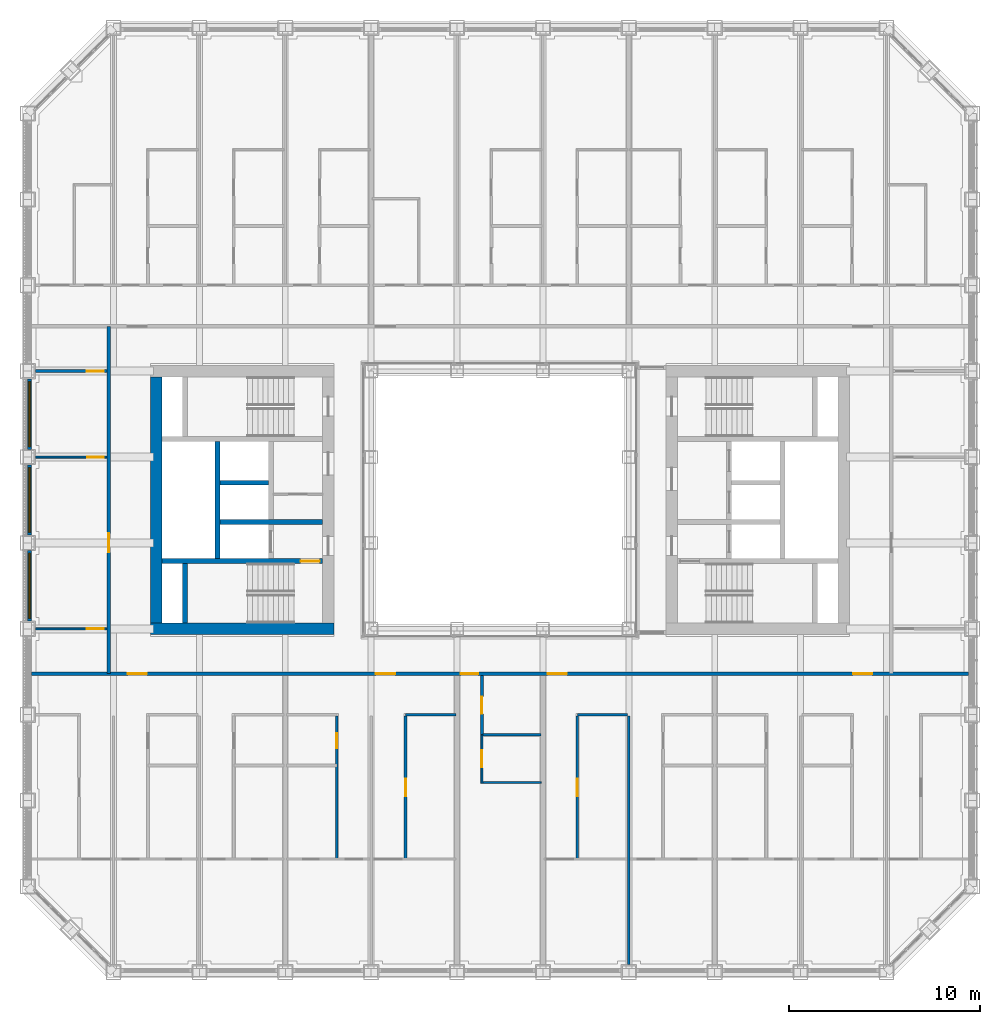
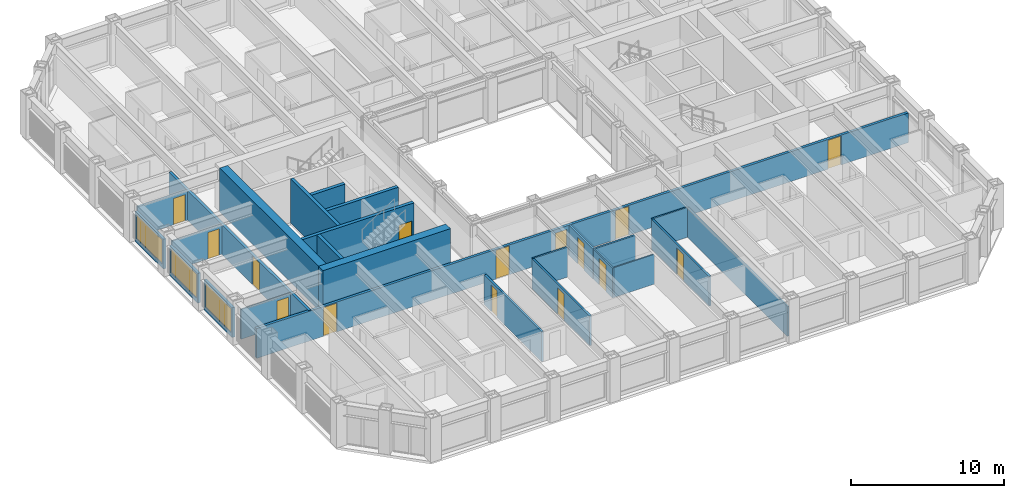
# One storey, part 10 of 21: 25 walls, 15 doors, 3 windows, 18 openings.
"""IFC4 building model written with IfcOpenShell, lengths in metres."""

from ifc_helpers import new_model, si_unit, direction, frame, frame_2d, origin, place, context, subcontext, project, spatial, rectangle, extrude, material, layer, layer_set, type_object, element, fill, save


model = new_model("IFC4")

# Units and contexts
model_context = context("Model", 3, precision=1e-05, world=origin(), true_north=direction((0.0, 1.0)))
body_context = subcontext(model_context, "Body", "Model", "MODEL_VIEW")
ifc_project = project(units=[si_unit("LENGTHUNIT", "METRE"), si_unit("AREAUNIT", "SQUARE_METRE"), si_unit("VOLUMEUNIT", "CUBIC_METRE"), si_unit("PLANEANGLEUNIT", "RADIAN"), si_unit("MASSUNIT", "GRAM", prefix="KILO")], contexts=[model_context])

# Site, building, storey
site_placement = place(None, origin())
site = spatial("IfcSite", under=ifc_project, at=site_placement, CompositionType="ELEMENT")
building_placement = place(site_placement, origin())
building = spatial("IfcBuilding", under=site, at=building_placement, Name="Msasa Ring Tower", CompositionType="ELEMENT")
storey_placement = place(building_placement, frame((0.0, 0.0, 75.5)))
storey = spatial("IfcBuildingStorey", under=building, at=storey_placement, Name="L19", CompositionType="ELEMENT", Elevation=75.5)

# Walls
ifc_material_1 = material(Name="Concrete C60/75", Category="concrete")
ifc_layer_1 = layer(ifc_material_1, 0.60009765625)
ifc_layer_set_1 = layer_set([ifc_layer_1], Name="CW1 CORE WALL 600")
wall_type_1 = type_object("IfcWallType", Name="CW1 CORE WALL 600", PredefinedType="SHEAR", material=ifc_layer_set_1)
wall_1_placement = place(storey_placement, frame((-8.699951171875, -6.75, 0.0), z_axis=(0.0, 0.0, 1.0), x_axis=(-1.0, 0.0, 0.0)))
element("IfcWall", 1, at=wall_1_placement, inside=storey, type_object=wall_type_1, Name="W core wall S L19", PredefinedType="SHEAR", context=body_context, shape_type="SweptSolid", body=[
    extrude(rectangle(XDim=9.60009765625, YDim=0.60009765625, at=frame_2d((4.800048828125, 0.0))), origin(), (0.0, 0.0, 1.0), 3.5),
])
wall_2_placement = place(storey_placement, frame((-18.0, -6.449951171875, 0.0), z_axis=(0.0, 0.0, 1.0), x_axis=(0.0, 1.0, 0.0)))
element("IfcWall", 2, at=wall_2_placement, inside=storey, type_object=wall_type_1, Name="W core wall E L19", PredefinedType="SHEAR", context=body_context, shape_type="SweptSolid", body=[
    extrude(rectangle(XDim=12.89990234375, YDim=0.60009765625, at=frame_2d((6.449951171875, 0.0))), origin(), (0.0, 0.0, 1.0), 3.5),
])

# Wall, opening, door
ifc_material_2 = material(Name="Concrete C60/75", Category="concrete")
ifc_layer_2 = layer(ifc_material_2, 0.25)
ifc_layer_set_2 = layer_set([ifc_layer_2], Name="CW4 CORE INNER WALL 250")
wall_type_2 = type_object("IfcWallType", Name="CW4 CORE INNER WALL 250", PredefinedType="SHEAR", material=ifc_layer_set_2)
wall_3_placement = place(storey_placement, frame((-9.300048828125, -3.199951171875, 0.0), z_axis=(0.0, 0.0, 1.0), x_axis=(-1.0, 0.0, 0.0)))
wall_3 = element("IfcWall", 3, at=wall_3_placement, inside=storey, type_object=wall_type_2, Name="W core wall STAIRA L19", PredefinedType="SHEAR", context=body_context, shape_type="SweptSolid", body=[
    extrude(rectangle(XDim=8.39990234375, YDim=0.25, at=frame_2d((4.199951171875, 0.0))), origin(), (0.0, 0.0, 1.0), 3.5),
])
opening_1_placement = place(wall_3_placement, frame((0.14990234375, 0.0, 0.0)))
opening_1 = element("IfcOpeningElement", 4, at=opening_1_placement, cuts=wall_3, Name="Opening RE-051", PredefinedType="OPENING", context=body_context, shape_type="SweptSolid", body=[
    extrude(rectangle(XDim=1.0, YDim=2.10009765625, at=frame_2d((0.5, 1.050048828125))), frame((0.0, 0.135009765625, 0.0), z_axis=(0.0, -1.0, 0.0), x_axis=(1.0, 0.0, 0.0)), (0.0, 0.0, 1.0), 0.27001953125),
])
ifc_material_3 = material(Name="Timber door leaf in a steel frame", Category="steel")
door_type_1 = type_object("IfcDoorType", Name="D6 STAIR DOOR 1000x2100", OperationType="SINGLE_SWING_LEFT", PredefinedType="DOOR", material=ifc_material_3)
door_1_placement = place(opening_1_placement, origin())
door_1 = element("IfcDoor", 5, at=door_1_placement, inside=storey, type_object=door_type_1, Name="Door L19-WSTA", OperationType="SINGLE_SWING_LEFT", OverallHeight=2.10009765625, OverallWidth=1.0, PredefinedType="DOOR", context=body_context, shape_type="SweptSolid", body=[
    extrude(rectangle(XDim=1.0, YDim=2.10009765625, at=frame_2d((0.5, 1.050048828125))), frame((0.0, 0.02490234375, 0.0), z_axis=(0.0, -1.0, 0.0), x_axis=(1.0, 0.0, 0.0)), (0.0, 0.0, 1.0), 0.050048828125),
])
fill(opening_1, door_1)

# Walls
wall_4_placement = place(storey_placement, frame((-16.5, -6.449951171875, 0.0), z_axis=(0.0, 0.0, 1.0), x_axis=(0.0, 1.0, 0.0)))
element("IfcWall", 6, at=wall_4_placement, inside=storey, type_object=wall_type_2, Name="W core wall RISERA L19", PredefinedType="SHEAR", context=body_context, shape_type="SweptSolid", body=[
    extrude(rectangle(XDim=3.125, YDim=0.25, at=frame_2d((1.5625, 0.0))), origin(), (0.0, 0.0, 1.0), 3.5),
])
wall_5_placement = place(storey_placement, frame((-9.300048828125, -1.14990234375, 0.0), z_axis=(0.0, 0.0, 1.0), x_axis=(-1.0, 0.0, 0.0)))
element("IfcWall", 7, at=wall_5_placement, inside=storey, type_object=wall_type_2, Name="W core wall FFL L19", PredefinedType="SHEAR", context=body_context, shape_type="SweptSolid", body=[
    extrude(rectangle(XDim=5.375, YDim=0.25, at=frame_2d((2.6875, 0.0))), origin(), (0.0, 0.0, 1.0), 3.5),
])
wall_6_placement = place(storey_placement, frame((-14.800048828125, -3.074951171875, 0.0), z_axis=(0.0, 0.0, 1.0), x_axis=(0.0, 1.0, 0.0)))
element("IfcWall", 8, at=wall_6_placement, inside=storey, type_object=wall_type_2, Name="W core wall SHAFT L19", PredefinedType="SHEAR", context=body_context, shape_type="SweptSolid", body=[
    extrude(rectangle(XDim=6.14990234375, YDim=0.25, at=frame_2d((3.074951171875, 0.0))), origin(), (0.0, 0.0, 1.0), 3.5),
])
wall_7_placement = place(storey_placement, frame((-12.125, 0.89990234375, 0.0), z_axis=(0.0, 0.0, 1.0), x_axis=(-1.0, 0.0, 0.0)))
element("IfcWall", 9, at=wall_7_placement, inside=storey, type_object=wall_type_2, Name="W core wall LIFT1 L19", PredefinedType="SHEAR", context=body_context, shape_type="SweptSolid", body=[
    extrude(rectangle(XDim=2.550048828125, YDim=0.25, at=frame_2d((1.27490234375, 0.0))), origin(), (0.0, 0.0, 1.0), 3.5),
])

# Wall, opening, window
ifc_material_4 = material(Name="Terracotta rainscreen on blockwork", Category="masonry")
ifc_layer_3 = layer(ifc_material_4, 0.199951171875)
ifc_layer_set_3 = layer_set([ifc_layer_3], Name="FW1 TERRACOTTA-LINED INFILL BAY WALL 200")
wall_type_3 = type_object("IfcWallType", Name="FW1 TERRACOTTA-LINED INFILL BAY WALL 200", PredefinedType="SOLIDWALL", material=ifc_layer_set_3)
wall_8_placement = place(storey_placement, frame((-24.64990234375, -6.344970703125, 0.0), z_axis=(0.0, 0.0, 1.0), x_axis=(0.0, 1.0, 0.0)))
wall_8 = element("IfcWall", 10, at=wall_8_placement, inside=storey, type_object=wall_type_3, Name="Infill bay wall W L19 36", PredefinedType="SOLIDWALL", context=body_context, shape_type="SweptSolid", body=[
    extrude(rectangle(XDim=3.68994140625, YDim=0.199951171875, at=frame_2d((1.844970703125, 0.0))), origin(), (0.0, 0.0, 1.0), 2.37890625),
])
opening_2_placement = place(wall_8_placement, frame((0.14501953125, 0.0, 0.300048828125)))
opening_2 = element("IfcOpeningElement", 11, at=opening_2_placement, cuts=wall_8, Name="Opening WN1", PredefinedType="OPENING", context=body_context, shape_type="SweptSolid", body=[
    extrude(rectangle(XDim=3.39990234375, YDim=1.928955078125, at=frame_2d((1.699951171875, 0.96435546875))), frame((0.0, 0.10986328125, 0.0), z_axis=(0.0, -1.0, 0.0), x_axis=(1.0, 0.0, 0.0)), (0.0, 0.0, 1.0), 0.219970703125),
])
ifc_material_5 = material(Name="Aluminium frame with clear glass", Category="aluminium")
window_type = type_object("IfcWindowType", Name="WN1 RESIDENCE WINDOW 3400x1929", PartitioningType="SINGLE_PANEL", PredefinedType="WINDOW", material=ifc_material_5)
window_1_placement = place(opening_2_placement, origin())
window_1 = element("IfcWindow", 12, at=window_1_placement, inside=storey, type_object=window_type, Name="Window W L19 36", OverallHeight=1.928955078125, OverallWidth=3.39990234375, PartitioningType="SINGLE_PANEL", PredefinedType="WINDOW", context=body_context, shape_type="SweptSolid", body=[
    extrude(rectangle(XDim=3.39990234375, YDim=1.928955078125, at=frame_2d((1.699951171875, 0.96435546875))), frame((0.0, 0.030029296875, 0.0), z_axis=(0.0, -1.0, 0.0), x_axis=(1.0, 0.0, 0.0)), (0.0, 0.0, 1.0), 0.06005859375),
])
fill(opening_2, window_1)

wall_9_placement = place(storey_placement, frame((-24.64990234375, -1.844970703125, 0.0), z_axis=(0.0, 0.0, 1.0), x_axis=(0.0, 1.0, 0.0)))
wall_9 = element("IfcWall", 13, at=wall_9_placement, inside=storey, type_object=wall_type_3, Name="Infill bay wall W L19 37", PredefinedType="SOLIDWALL", context=body_context, shape_type="SweptSolid", body=[
    extrude(rectangle(XDim=3.68994140625, YDim=0.199951171875, at=frame_2d((1.844970703125, 0.0))), origin(), (0.0, 0.0, 1.0), 2.37890625),
])
opening_3_placement = place(wall_9_placement, frame((0.14501953125, 0.0, 0.300048828125)))
opening_3 = element("IfcOpeningElement", 14, at=opening_3_placement, cuts=wall_9, Name="Opening WN1", PredefinedType="OPENING", context=body_context, shape_type="SweptSolid", body=[
    extrude(rectangle(XDim=3.39990234375, YDim=1.928955078125, at=frame_2d((1.699951171875, 0.96435546875))), frame((0.0, 0.10986328125, 0.0), z_axis=(0.0, -1.0, 0.0), x_axis=(1.0, 0.0, 0.0)), (0.0, 0.0, 1.0), 0.219970703125),
])
window_2_placement = place(opening_3_placement, origin())
window_2 = element("IfcWindow", 15, at=window_2_placement, inside=storey, type_object=window_type, Name="Window W L19 37", OverallHeight=1.928955078125, OverallWidth=3.39990234375, PartitioningType="SINGLE_PANEL", PredefinedType="WINDOW", context=body_context, shape_type="SweptSolid", body=[
    extrude(rectangle(XDim=3.39990234375, YDim=1.928955078125, at=frame_2d((1.699951171875, 0.96435546875))), frame((0.0, 0.030029296875, 0.0), z_axis=(0.0, -1.0, 0.0), x_axis=(1.0, 0.0, 0.0)), (0.0, 0.0, 1.0), 0.06005859375),
])
fill(opening_3, window_2)

wall_10_placement = place(storey_placement, frame((-24.64990234375, 2.655029296875, 0.0), z_axis=(0.0, 0.0, 1.0), x_axis=(0.0, 1.0, 0.0)))
wall_10 = element("IfcWall", 16, at=wall_10_placement, inside=storey, type_object=wall_type_3, Name="Infill bay wall W L19 38", PredefinedType="SOLIDWALL", context=body_context, shape_type="SweptSolid", body=[
    extrude(rectangle(XDim=3.68994140625, YDim=0.199951171875, at=frame_2d((1.844970703125, 0.0))), origin(), (0.0, 0.0, 1.0), 2.37890625),
])
opening_4_placement = place(wall_10_placement, frame((0.14501953125, 0.0, 0.300048828125)))
opening_4 = element("IfcOpeningElement", 17, at=opening_4_placement, cuts=wall_10, Name="Opening WN1", PredefinedType="OPENING", context=body_context, shape_type="SweptSolid", body=[
    extrude(rectangle(XDim=3.39990234375, YDim=1.928955078125, at=frame_2d((1.699951171875, 0.96435546875))), frame((0.0, 0.10986328125, 0.0), z_axis=(0.0, -1.0, 0.0), x_axis=(1.0, 0.0, 0.0)), (0.0, 0.0, 1.0), 0.219970703125),
])
window_3_placement = place(opening_4_placement, origin())
window_3 = element("IfcWindow", 18, at=window_3_placement, inside=storey, type_object=window_type, Name="Window W L19 38", OverallHeight=1.928955078125, OverallWidth=3.39990234375, PartitioningType="SINGLE_PANEL", PredefinedType="WINDOW", context=body_context, shape_type="SweptSolid", body=[
    extrude(rectangle(XDim=3.39990234375, YDim=1.928955078125, at=frame_2d((1.699951171875, 0.96435546875))), frame((0.0, 0.030029296875, 0.0), z_axis=(0.0, -1.0, 0.0), x_axis=(1.0, 0.0, 0.0)), (0.0, 0.0, 1.0), 0.06005859375),
])
fill(opening_4, window_3)

# Wall, openings, doors
ifc_material_6 = material(Name="Concrete blockwork", Category="masonry")
ifc_layer_4 = layer(ifc_material_6, 0.199951171875)
ifc_layer_set_4 = layer_set([ifc_layer_4], Name="PT1 CORRIDOR WALL 200")
wall_type_4 = type_object("IfcWallType", Name="PT1 CORRIDOR WALL 200", PredefinedType="PARTITIONING", material=ifc_layer_set_4)
wall_11_placement = place(storey_placement, frame((-24.550048828125, -9.10009765625, 0.0), z_axis=(0.0, 0.0, 1.0), x_axis=(1.0, 0.0, 0.0)))
wall_11 = element("IfcWall", 19, at=wall_11_placement, inside=storey, type_object=wall_type_4, Name="Corridor wall L19-CORRS0", PredefinedType="PARTITIONING", context=body_context, shape_type="SweptSolid", body=[
    extrude(rectangle(XDim=49.10009765625, YDim=0.199951171875, at=frame_2d((24.550048828125, 0.0))), origin(), (0.0, 0.0, 1.0), 2.373291015625),
])
opening_5_placement = place(wall_11_placement, frame((5.050048828125, 0.0, 0.0)))
opening_5 = element("IfcOpeningElement", 20, at=opening_5_placement, cuts=wall_11, Name="Opening RE-056", PredefinedType="OPENING", context=body_context, shape_type="SweptSolid", body=[
    extrude(rectangle(XDim=1.0, YDim=2.300048828125, at=frame_2d((0.5, 1.14990234375))), frame((0.0, 0.10986328125, 0.0), z_axis=(0.0, -1.0, 0.0), x_axis=(1.0, 0.0, 0.0)), (0.0, 0.0, 1.0), 0.219970703125),
])
opening_6_placement = place(wall_11_placement, frame((18.050048828125, 0.0, 0.0)))
opening_6 = element("IfcOpeningElement", 21, at=opening_6_placement, cuts=wall_11, Name="Opening RE-057", PredefinedType="OPENING", context=body_context, shape_type="SweptSolid", body=[
    extrude(rectangle(XDim=1.0, YDim=2.300048828125, at=frame_2d((0.5, 1.14990234375))), frame((0.0, 0.10986328125, 0.0), z_axis=(0.0, -1.0, 0.0), x_axis=(1.0, 0.0, 0.0)), (0.0, 0.0, 1.0), 0.219970703125),
])
opening_7_placement = place(wall_11_placement, frame((22.5, 0.0, 0.0)))
opening_7 = element("IfcOpeningElement", 22, at=opening_7_placement, cuts=wall_11, Name="Opening RE-058", PredefinedType="OPENING", context=body_context, shape_type="SweptSolid", body=[
    extrude(rectangle(XDim=0.89990234375, YDim=2.10009765625, at=frame_2d((0.449951171875, 1.050048828125))), frame((0.0, 0.10986328125, 0.0), z_axis=(0.0, -1.0, 0.0), x_axis=(1.0, 0.0, 0.0)), (0.0, 0.0, 1.0), 0.219970703125),
])
opening_8_placement = place(wall_11_placement, frame((27.050048828125, 0.0, 0.0)))
opening_8 = element("IfcOpeningElement", 23, at=opening_8_placement, cuts=wall_11, Name="Opening RE-059", PredefinedType="OPENING", context=body_context, shape_type="SweptSolid", body=[
    extrude(rectangle(XDim=1.0, YDim=2.300048828125, at=frame_2d((0.5, 1.14990234375))), frame((0.0, 0.10986328125, 0.0), z_axis=(0.0, -1.0, 0.0), x_axis=(1.0, 0.0, 0.0)), (0.0, 0.0, 1.0), 0.219970703125),
])
opening_9_placement = place(wall_11_placement, frame((43.050048828125, 0.0, 0.0)))
opening_9 = element("IfcOpeningElement", 24, at=opening_9_placement, cuts=wall_11, Name="Opening RE-060", PredefinedType="OPENING", context=body_context, shape_type="SweptSolid", body=[
    extrude(rectangle(XDim=1.0, YDim=2.300048828125, at=frame_2d((0.5, 1.14990234375))), frame((0.0, 0.10986328125, 0.0), z_axis=(0.0, -1.0, 0.0), x_axis=(1.0, 0.0, 0.0)), (0.0, 0.0, 1.0), 0.219970703125),
])
ifc_material_7 = material(Name="Timber door leaf in a steel frame", Category="steel")
door_type_2 = type_object("IfcDoorType", Name="D16 UPPER RESIDENCE ENTRANCE DOOR 1000x2300", OperationType="SINGLE_SWING_LEFT", PredefinedType="DOOR", material=ifc_material_7)
door_2_placement = place(opening_5_placement, origin())
door_2 = element("IfcDoor", 25, at=door_2_placement, inside=storey, type_object=door_type_2, Name="Door L19-US00", OperationType="SINGLE_SWING_LEFT", OverallHeight=2.300048828125, OverallWidth=1.0, PredefinedType="DOOR", context=body_context, shape_type="SweptSolid", body=[
    extrude(rectangle(XDim=1.0, YDim=2.300048828125, at=frame_2d((0.5, 1.14990234375))), frame((0.0, 0.02490234375, 0.0), z_axis=(0.0, -1.0, 0.0), x_axis=(1.0, 0.0, 0.0)), (0.0, 0.0, 1.0), 0.050048828125),
])
fill(opening_5, door_2)
door_3_placement = place(opening_6_placement, origin())
door_3 = element("IfcDoor", 26, at=door_3_placement, inside=storey, type_object=door_type_2, Name="Door L19-US01", OperationType="SINGLE_SWING_LEFT", OverallHeight=2.300048828125, OverallWidth=1.0, PredefinedType="DOOR", context=body_context, shape_type="SweptSolid", body=[
    extrude(rectangle(XDim=1.0, YDim=2.300048828125, at=frame_2d((0.5, 1.14990234375))), frame((0.0, 0.02490234375, 0.0), z_axis=(0.0, -1.0, 0.0), x_axis=(1.0, 0.0, 0.0)), (0.0, 0.0, 1.0), 0.050048828125),
])
fill(opening_6, door_3)
door_4_placement = place(opening_8_placement, origin())
door_4 = element("IfcDoor", 27, at=door_4_placement, inside=storey, type_object=door_type_2, Name="Door L19-US03", OperationType="SINGLE_SWING_RIGHT", OverallHeight=2.300048828125, OverallWidth=1.0, PredefinedType="DOOR", context=body_context, shape_type="SweptSolid", body=[
    extrude(rectangle(XDim=1.0, YDim=2.300048828125, at=frame_2d((0.5, 1.14990234375))), frame((0.0, 0.02490234375, 0.0), z_axis=(0.0, -1.0, 0.0), x_axis=(1.0, 0.0, 0.0)), (0.0, 0.0, 1.0), 0.050048828125),
])
fill(opening_8, door_4)
door_5_placement = place(opening_9_placement, origin())
door_5 = element("IfcDoor", 28, at=door_5_placement, inside=storey, type_object=door_type_2, Name="Door L19-US04", OperationType="SINGLE_SWING_RIGHT", OverallHeight=2.300048828125, OverallWidth=1.0, PredefinedType="DOOR", context=body_context, shape_type="SweptSolid", body=[
    extrude(rectangle(XDim=1.0, YDim=2.300048828125, at=frame_2d((0.5, 1.14990234375))), frame((0.0, 0.02490234375, 0.0), z_axis=(0.0, -1.0, 0.0), x_axis=(1.0, 0.0, 0.0)), (0.0, 0.0, 1.0), 0.050048828125),
])
fill(opening_9, door_5)
ifc_material_8 = material(Name="Timber door leaf in a steel frame", Category="steel")
door_type_3 = type_object("IfcDoorType", Name="D2 ENTRANCE DOOR 900x2100", OperationType="SINGLE_SWING_LEFT", PredefinedType="DOOR", material=ifc_material_8)
door_6_placement = place(opening_7_placement, origin())
door_6 = element("IfcDoor", 29, at=door_6_placement, inside=storey, type_object=door_type_3, Name="Door L19-US02", OperationType="SINGLE_SWING_LEFT", OverallHeight=2.10009765625, OverallWidth=0.89990234375, PredefinedType="DOOR", context=body_context, shape_type="SweptSolid", body=[
    extrude(rectangle(XDim=0.89990234375, YDim=2.10009765625, at=frame_2d((0.449951171875, 1.050048828125))), frame((0.0, 0.02490234375, 0.0), z_axis=(0.0, -1.0, 0.0), x_axis=(1.0, 0.0, 0.0)), (0.0, 0.0, 1.0), 0.050048828125),
])
fill(opening_7, door_6)

# Wall, opening, door
wall_12_placement = place(storey_placement, frame((-20.5, -9.10009765625, 0.0), z_axis=(0.0, 0.0, 1.0), x_axis=(0.0, 1.0, 0.0)))
wall_12 = element("IfcWall", 30, at=wall_12_placement, inside=storey, type_object=wall_type_4, Name="Corridor wall L19-STRW", PredefinedType="PARTITIONING", context=body_context, shape_type="SweptSolid", body=[
    extrude(rectangle(XDim=18.2001953125, YDim=0.199951171875, at=frame_2d((9.10009765625, 0.0))), origin(), (0.0, 0.0, 1.0), 2.373291015625),
])
opening_10_placement = place(wall_12_placement, frame((6.35009765625, 0.0, 0.0)))
opening_10 = element("IfcOpeningElement", 31, at=opening_10_placement, cuts=wall_12, Name="Opening RE-047", PredefinedType="OPENING", context=body_context, shape_type="SweptSolid", body=[
    extrude(rectangle(XDim=1.0, YDim=2.300048828125, at=frame_2d((0.5, 1.14990234375))), frame((0.0, 0.10986328125, 0.0), z_axis=(0.0, -1.0, 0.0), x_axis=(1.0, 0.0, 0.0)), (0.0, 0.0, 1.0), 0.219970703125),
])
door_7_placement = place(opening_10_placement, origin())
door_7 = element("IfcDoor", 32, at=door_7_placement, inside=storey, type_object=door_type_2, Name="Door L19-STW", OperationType="SINGLE_SWING_LEFT", OverallHeight=2.300048828125, OverallWidth=1.0, PredefinedType="DOOR", context=body_context, shape_type="SweptSolid", body=[
    extrude(rectangle(XDim=1.0, YDim=2.300048828125, at=frame_2d((0.5, 1.14990234375))), frame((0.0, 0.02490234375, 0.0), z_axis=(0.0, -1.0, 0.0), x_axis=(1.0, 0.0, 0.0)), (0.0, 0.0, 1.0), 0.050048828125),
])
fill(opening_10, door_7)

# Wall
ifc_material_9 = material(Name="Gypsum board on steel studs", Category="steel")
ifc_layer_5 = layer(ifc_material_9, 0.10009765625)
ifc_layer_set_5 = layer_set([ifc_layer_5], Name="PT2 STUD PARTITION 100")
wall_type_5 = type_object("IfcWallType", Name="PT2 STUD PARTITION 100", PredefinedType="PARTITIONING", material=ifc_layer_set_5)
wall_13_placement = place(storey_placement, frame((-0.89990234375, -14.800048828125, 0.0), z_axis=(0.0, 0.0, 1.0), x_axis=(1.0, 0.0, 0.0)))
element("IfcWall", 33, at=wall_13_placement, inside=storey, type_object=wall_type_5, Name="Partition L19-US02KY", PredefinedType="PARTITIONING", context=body_context, shape_type="SweptSolid", body=[
    extrude(rectangle(XDim=3.0498046875, YDim=0.10009765625, at=frame_2d((1.52490234375, 0.0))), origin(), (0.0, 0.0, 1.0), 2.373291015625),
])

# Wall, opening, door
wall_14_placement = place(storey_placement, frame((-0.949951171875, -14.85009765625, 0.0), z_axis=(0.0, 0.0, 1.0), x_axis=(0.0, 1.0, 0.0)))
wall_14 = element("IfcWall", 34, at=wall_14_placement, inside=storey, type_object=wall_type_5, Name="Partition L19-US02KX", PredefinedType="PARTITIONING", context=body_context, shape_type="SweptSolid", body=[
    extrude(rectangle(XDim=2.550048828125, YDim=0.10009765625, at=frame_2d((1.27490234375, 0.0))), origin(), (0.0, 0.0, 1.0), 2.373291015625),
])
opening_11_placement = place(wall_14_placement, frame((0.840087890625, 0.0, 0.0)))
opening_11 = element("IfcOpeningElement", 35, at=opening_11_placement, cuts=wall_14, Name="Opening RE-068", PredefinedType="OPENING", context=body_context, shape_type="SweptSolid", body=[
    extrude(rectangle(XDim=0.89990234375, YDim=2.10009765625, at=frame_2d((0.449951171875, 1.050048828125))), frame((0.0, 0.06005859375, 0.0), z_axis=(0.0, -1.0, 0.0), x_axis=(1.0, 0.0, 0.0)), (0.0, 0.0, 1.0), 0.1201171875),
])
ifc_material_10 = material(Name="Timber door leaf in a steel frame", Category="steel")
door_type_4 = type_object("IfcDoorType", Name="D22 INTERNAL HALL DOOR 900x2100", OperationType="SINGLE_SWING_LEFT", PredefinedType="DOOR", material=ifc_material_10)
door_8_placement = place(opening_11_placement, origin())
door_8 = element("IfcDoor", 36, at=door_8_placement, inside=storey, type_object=door_type_4, Name="Door L19-US02K", OperationType="SINGLE_SWING_LEFT", OverallHeight=2.10009765625, OverallWidth=0.89990234375, PredefinedType="DOOR", context=body_context, shape_type="SweptSolid", body=[
    extrude(rectangle(XDim=0.89990234375, YDim=2.10009765625, at=frame_2d((0.449951171875, 1.050048828125))), frame((0.0, 0.02490234375, 0.0), z_axis=(0.0, -1.0, 0.0), x_axis=(1.0, 0.0, 0.0)), (0.0, 0.0, 1.0), 0.050048828125),
])
fill(opening_11, door_8)

wall_15_placement = place(storey_placement, frame((-24.35009765625, -6.75, 0.0), z_axis=(0.0, 0.0, 1.0), x_axis=(1.0, 0.0, 0.0)))
wall_15 = element("IfcWall", 37, at=wall_15_placement, inside=storey, type_object=wall_type_5, Name="Partition L19-STWKY", PredefinedType="PARTITIONING", context=body_context, shape_type="SweptSolid", body=[
    extrude(rectangle(XDim=3.75, YDim=0.10009765625, at=frame_2d((1.875, 0.0))), origin(), (0.0, 0.0, 1.0), 2.373291015625),
])
opening_12_placement = place(wall_15_placement, frame((2.699951171875, 0.0, 0.0)))
opening_12 = element("IfcOpeningElement", 38, at=opening_12_placement, cuts=wall_15, Name="Opening RE-053", PredefinedType="OPENING", context=body_context, shape_type="SweptSolid", body=[
    extrude(rectangle(XDim=0.89990234375, YDim=2.10009765625, at=frame_2d((0.449951171875, 1.050048828125))), frame((0.0, 0.06005859375, 0.0), z_axis=(0.0, -1.0, 0.0), x_axis=(1.0, 0.0, 0.0)), (0.0, 0.0, 1.0), 0.1201171875),
])
door_9_placement = place(opening_12_placement, origin())
door_9 = element("IfcDoor", 39, at=door_9_placement, inside=storey, type_object=door_type_4, Name="Door L19-STWK", OperationType="SINGLE_SWING_RIGHT", OverallHeight=2.10009765625, OverallWidth=0.89990234375, PredefinedType="DOOR", context=body_context, shape_type="SweptSolid", body=[
    extrude(rectangle(XDim=0.89990234375, YDim=2.10009765625, at=frame_2d((0.449951171875, 1.050048828125))), frame((0.0, 0.02490234375, 0.0), z_axis=(0.0, -1.0, 0.0), x_axis=(1.0, 0.0, 0.0)), (0.0, 0.0, 1.0), 0.050048828125),
])
fill(opening_12, door_9)

wall_16_placement = place(storey_placement, frame((-24.35009765625, 2.25, 0.0), z_axis=(0.0, 0.0, 1.0), x_axis=(1.0, 0.0, 0.0)))
wall_16 = element("IfcWall", 40, at=wall_16_placement, inside=storey, type_object=wall_type_5, Name="Partition L19-STWRY", PredefinedType="PARTITIONING", context=body_context, shape_type="SweptSolid", body=[
    extrude(rectangle(XDim=3.75, YDim=0.10009765625, at=frame_2d((1.875, 0.0))), origin(), (0.0, 0.0, 1.0), 2.373291015625),
])
opening_13_placement = place(wall_16_placement, frame((2.72509765625, 0.0, 0.0)))
opening_13 = element("IfcOpeningElement", 41, at=opening_13_placement, cuts=wall_16, Name="Opening RE-042", PredefinedType="OPENING", context=body_context, shape_type="SweptSolid", body=[
    extrude(rectangle(XDim=0.85009765625, YDim=2.10009765625, at=frame_2d((0.425048828125, 1.050048828125))), frame((0.0, 0.06005859375, 0.0), z_axis=(0.0, -1.0, 0.0), x_axis=(1.0, 0.0, 0.0)), (0.0, 0.0, 1.0), 0.1201171875),
])
ifc_material_11 = material(Name="Timber door leaf in a steel frame", Category="steel")
door_type_5 = type_object("IfcDoorType", Name="D14 BEDROOM DOOR 850x2100", OperationType="SINGLE_SWING_LEFT", PredefinedType="DOOR", material=ifc_material_11)
door_10_placement = place(opening_13_placement, origin())
door_10 = element("IfcDoor", 42, at=door_10_placement, inside=storey, type_object=door_type_5, Name="Door L19-STWR", OperationType="SINGLE_SWING_RIGHT", OverallHeight=2.10009765625, OverallWidth=0.85009765625, PredefinedType="DOOR", context=body_context, shape_type="SweptSolid", body=[
    extrude(rectangle(XDim=0.85009765625, YDim=2.10009765625, at=frame_2d((0.425048828125, 1.050048828125))), frame((0.0, 0.02490234375, 0.0), z_axis=(0.0, -1.0, 0.0), x_axis=(1.0, 0.0, 0.0)), (0.0, 0.0, 1.0), 0.050048828125),
])
fill(opening_13, door_10)

ifc_material_12 = material(Name="Moisture-resistant board on steel studs with a concealed cistern and pipe void, tiled", Category="steel")
ifc_layer_6 = layer(ifc_material_12, 0.14990234375)
ifc_layer_set_6 = layer_set([ifc_layer_6], Name="PT4 BATHROOM WET WALL 150")
wall_type_6 = type_object("IfcWallType", Name="PT4 BATHROOM WET WALL 150", PredefinedType="PARTITIONING", material=ifc_layer_set_6)
wall_17_placement = place(storey_placement, frame((-4.949951171875, -18.8125, 0.0), z_axis=(0.0, 0.0, 1.0), x_axis=(0.0, 1.0, 0.0)))
wall_17 = element("IfcWall", 43, at=wall_17_placement, inside=storey, type_object=wall_type_6, Name="Partition L19-US01SX0", PredefinedType="PARTITIONING", context=body_context, shape_type="SweptSolid", body=[
    extrude(rectangle(XDim=7.5, YDim=0.14990234375, at=frame_2d((3.75, 0.0))), origin(), (0.0, 0.0, 1.0), 2.373291015625),
])
opening_14_placement = place(wall_17_placement, frame((3.300048828125, 0.0, 0.0)))
opening_14 = element("IfcOpeningElement", 44, at=opening_14_placement, cuts=wall_17, Name="Opening RE-070", PredefinedType="OPENING", context=body_context, shape_type="SweptSolid", body=[
    extrude(rectangle(XDim=0.89990234375, YDim=2.10009765625, at=frame_2d((0.449951171875, 1.050048828125))), frame((0.0, 0.0849609375, 0.0), z_axis=(0.0, -1.0, 0.0), x_axis=(1.0, 0.0, 0.0)), (0.0, 0.0, 1.0), 0.169921875),
])
door_11_placement = place(opening_14_placement, origin())
door_11 = element("IfcDoor", 45, at=door_11_placement, inside=storey, type_object=door_type_4, Name="Door L19-US01K", OperationType="SINGLE_SWING_LEFT", OverallHeight=2.10009765625, OverallWidth=0.89990234375, PredefinedType="DOOR", context=body_context, shape_type="SweptSolid", body=[
    extrude(rectangle(XDim=0.89990234375, YDim=2.10009765625, at=frame_2d((0.449951171875, 1.050048828125))), frame((0.0, 0.02490234375, 0.0), z_axis=(0.0, -1.0, 0.0), x_axis=(1.0, 0.0, 0.0)), (0.0, 0.0, 1.0), 0.050048828125),
])
fill(opening_14, door_11)

wall_18_placement = place(storey_placement, frame((-8.550048828125, -18.8125, 0.0), z_axis=(0.0, 0.0, 1.0), x_axis=(0.0, 1.0, 0.0)))
wall_18 = element("IfcWall", 46, at=wall_18_placement, inside=storey, type_object=wall_type_6, Name="Partition L19-US01SX1", PredefinedType="PARTITIONING", context=body_context, shape_type="SweptSolid", body=[
    extrude(rectangle(XDim=7.5, YDim=0.14990234375, at=frame_2d((3.75, 0.0))), origin(), (0.0, 0.0, 1.0), 2.373291015625),
])
opening_15_placement = place(wall_18_placement, frame((5.800048828125, 0.0, 0.0)))
opening_15 = element("IfcOpeningElement", 47, at=opening_15_placement, cuts=wall_18, Name="Opening RE-064", PredefinedType="OPENING", context=body_context, shape_type="SweptSolid", body=[
    extrude(rectangle(XDim=0.800048828125, YDim=2.10009765625, at=frame_2d((0.39990234375, 1.050048828125))), frame((0.0, 0.0849609375, 0.0), z_axis=(0.0, -1.0, 0.0), x_axis=(1.0, 0.0, 0.0)), (0.0, 0.0, 1.0), 0.169921875),
])
ifc_material_13 = material(Name="Timber door leaf in a steel frame", Category="steel")
door_type_6 = type_object("IfcDoorType", Name="D21 POCKET SLIDING BATHROOM DOOR 800x2100", OperationType="SINGLE_SWING_LEFT", PredefinedType="DOOR", material=ifc_material_13)
door_12_placement = place(opening_15_placement, origin())
door_12 = element("IfcDoor", 48, at=door_12_placement, inside=storey, type_object=door_type_6, Name="Door L19-US01B1", OperationType="SINGLE_SWING_RIGHT", OverallHeight=2.10009765625, OverallWidth=0.800048828125, PredefinedType="DOOR", context=body_context, shape_type="SweptSolid", body=[
    extrude(rectangle(XDim=0.800048828125, YDim=2.10009765625, at=frame_2d((0.39990234375, 1.050048828125))), frame((0.0, 0.02490234375, 0.0), z_axis=(0.0, -1.0, 0.0), x_axis=(1.0, 0.0, 0.0)), (0.0, 0.0, 1.0), 0.050048828125),
])
fill(opening_15, door_12)

wall_19_placement = place(storey_placement, frame((-0.949951171875, -12.35009765625, 0.0), z_axis=(0.0, 0.0, 1.0), x_axis=(0.0, 1.0, 0.0)))
wall_19 = element("IfcWall", 49, at=wall_19_placement, inside=storey, type_object=wall_type_6, Name="Partition L19-US02BX", PredefinedType="PARTITIONING", context=body_context, shape_type="SweptSolid", body=[
    extrude(rectangle(XDim=3.150146484375, YDim=0.14990234375, at=frame_2d((1.5751953125, 0.0))), origin(), (0.0, 0.0, 1.0), 2.373291015625),
])
opening_16_placement = place(wall_19_placement, frame((1.14990234375, 0.0, 0.0)))
opening_16 = element("IfcOpeningElement", 50, at=opening_16_placement, cuts=wall_19, Name="Opening RE-061", PredefinedType="OPENING", context=body_context, shape_type="SweptSolid", body=[
    extrude(rectangle(XDim=0.89990234375, YDim=2.10009765625, at=frame_2d((0.449951171875, 1.050048828125))), frame((0.0, 0.0849609375, 0.0), z_axis=(0.0, -1.0, 0.0), x_axis=(1.0, 0.0, 0.0)), (0.0, 0.0, 1.0), 0.169921875),
])
ifc_material_14 = material(Name="Timber door leaf in a steel frame", Category="steel")
door_type_7 = type_object("IfcDoorType", Name="D3 BATHROOM DOOR 900x2100", OperationType="SINGLE_SWING_LEFT", PredefinedType="DOOR", material=ifc_material_14)
door_13_placement = place(opening_16_placement, origin())
door_13 = element("IfcDoor", 51, at=door_13_placement, inside=storey, type_object=door_type_7, Name="Door L19-US02B", OperationType="SINGLE_SWING_LEFT", OverallHeight=2.10009765625, OverallWidth=0.89990234375, PredefinedType="DOOR", context=body_context, shape_type="SweptSolid", body=[
    extrude(rectangle(XDim=0.89990234375, YDim=2.10009765625, at=frame_2d((0.449951171875, 1.050048828125))), frame((0.0, 0.02490234375, 0.0), z_axis=(0.0, -1.0, 0.0), x_axis=(1.0, 0.0, 0.0)), (0.0, 0.0, 1.0), 0.050048828125),
])
fill(opening_16, door_13)

# Wall
wall_20_placement = place(storey_placement, frame((-0.89990234375, -12.300048828125, 0.0), z_axis=(0.0, 0.0, 1.0), x_axis=(1.0, 0.0, 0.0)))
element("IfcWall", 52, at=wall_20_placement, inside=storey, type_object=wall_type_6, Name="Partition L19-US02BY", PredefinedType="PARTITIONING", context=body_context, shape_type="SweptSolid", body=[
    extrude(rectangle(XDim=3.0498046875, YDim=0.14990234375, at=frame_2d((1.52490234375, 0.0))), origin(), (0.0, 0.0, 1.0), 2.373291015625),
])

# Wall, opening, door
wall_21_placement = place(storey_placement, frame((4.050048828125, -18.8125, 0.0), z_axis=(0.0, 0.0, 1.0), x_axis=(0.0, 1.0, 0.0)))
wall_21 = element("IfcWall", 53, at=wall_21_placement, inside=storey, type_object=wall_type_6, Name="Partition L19-US03SX0", PredefinedType="PARTITIONING", context=body_context, shape_type="SweptSolid", body=[
    extrude(rectangle(XDim=7.5, YDim=0.14990234375, at=frame_2d((3.75, 0.0))), origin(), (0.0, 0.0, 1.0), 2.373291015625),
])
opening_17_placement = place(wall_21_placement, frame((3.300048828125, 0.0, 0.0)))
opening_17 = element("IfcOpeningElement", 54, at=opening_17_placement, cuts=wall_21, Name="Opening RE-071", PredefinedType="OPENING", context=body_context, shape_type="SweptSolid", body=[
    extrude(rectangle(XDim=0.89990234375, YDim=2.10009765625, at=frame_2d((0.449951171875, 1.050048828125))), frame((0.0, 0.0849609375, 0.0), z_axis=(0.0, -1.0, 0.0), x_axis=(1.0, 0.0, 0.0)), (0.0, 0.0, 1.0), 0.169921875),
])
door_14_placement = place(opening_17_placement, origin())
door_14 = element("IfcDoor", 55, at=door_14_placement, inside=storey, type_object=door_type_4, Name="Door L19-US03K", OperationType="SINGLE_SWING_LEFT", OverallHeight=2.10009765625, OverallWidth=0.89990234375, PredefinedType="DOOR", context=body_context, shape_type="SweptSolid", body=[
    extrude(rectangle(XDim=0.89990234375, YDim=2.10009765625, at=frame_2d((0.449951171875, 1.050048828125))), frame((0.0, 0.02490234375, 0.0), z_axis=(0.0, -1.0, 0.0), x_axis=(1.0, 0.0, 0.0)), (0.0, 0.0, 1.0), 0.050048828125),
])
fill(opening_17, door_14)

wall_22_placement = place(storey_placement, frame((-24.35009765625, 6.75, 0.0), z_axis=(0.0, 0.0, 1.0), x_axis=(1.0, 0.0, 0.0)))
wall_22 = element("IfcWall", 56, at=wall_22_placement, inside=storey, type_object=wall_type_6, Name="Partition L19-STWBY", PredefinedType="PARTITIONING", context=body_context, shape_type="SweptSolid", body=[
    extrude(rectangle(XDim=3.75, YDim=0.14990234375, at=frame_2d((1.875, 0.0))), origin(), (0.0, 0.0, 1.0), 2.373291015625),
])
opening_18_placement = place(wall_22_placement, frame((2.699951171875, 0.0, 0.0)))
opening_18 = element("IfcOpeningElement", 57, at=opening_18_placement, cuts=wall_22, Name="Opening RE-038", PredefinedType="OPENING", context=body_context, shape_type="SweptSolid", body=[
    extrude(rectangle(XDim=0.89990234375, YDim=2.10009765625, at=frame_2d((0.449951171875, 1.050048828125))), frame((0.0, 0.0849609375, 0.0), z_axis=(0.0, -1.0, 0.0), x_axis=(1.0, 0.0, 0.0)), (0.0, 0.0, 1.0), 0.169921875),
])
door_15_placement = place(opening_18_placement, origin())
door_15 = element("IfcDoor", 58, at=door_15_placement, inside=storey, type_object=door_type_7, Name="Door L19-STWB", OperationType="SINGLE_SWING_RIGHT", OverallHeight=2.10009765625, OverallWidth=0.89990234375, PredefinedType="DOOR", context=body_context, shape_type="SweptSolid", body=[
    extrude(rectangle(XDim=0.89990234375, YDim=2.10009765625, at=frame_2d((0.449951171875, 1.050048828125))), frame((0.0, 0.02490234375, 0.0), z_axis=(0.0, -1.0, 0.0), x_axis=(1.0, 0.0, 0.0)), (0.0, 0.0, 1.0), 0.050048828125),
])
fill(opening_18, door_15)

# Walls
ifc_material_15 = material(Name="Two layers of acoustic board each face on steel studs, mineral wool", Category="steel")
ifc_layer_7 = layer(ifc_material_15, 0.125)
ifc_layer_set_7 = layer_set([ifc_layer_7], Name="PT6 ACOUSTIC DOUBLE-BOARD PARTITION 125")
wall_type_7 = type_object("IfcWallType", Name="PT6 ACOUSTIC DOUBLE-BOARD PARTITION 125", PredefinedType="PARTITIONING", material=ifc_layer_set_7)
for number, where, z_axis, x_axis, name in (
    (59, (-4.949951171875, -11.25, 0.0), (0.0, 0.0, 1.0), (1.0, 0.0, 0.0), "Partition L19-US01HY0"),
    (60, (4.050048828125, -11.25, 0.0), (0.0, 0.0, 1.0), (1.0, 0.0, 0.0), "Partition L19-US03HY0"),
):
    element("IfcWall", number, at=place(storey_placement, frame(where, z_axis=z_axis, x_axis=x_axis)), inside=storey, type_object=wall_type_7, Name=name, PredefinedType="PARTITIONING", context=body_context, shape_type="SweptSolid", body=[
        extrude(rectangle(XDim=2.632568359375, YDim=0.125, at=frame_2d((1.31640625, 0.0))), origin(), (0.0, 0.0, 1.0), 2.373291015625),
    ])
wall_23_placement = place(storey_placement, frame((6.75, -24.35009765625, 0.0), z_axis=(0.0, 0.0, 1.0), x_axis=(0.0, 1.0, 0.0)))
element("IfcWall", 61, at=wall_23_placement, inside=storey, type_object=wall_type_7, Name="Partition L19-US03P1", PredefinedType="PARTITIONING", context=body_context, shape_type="SweptSolid", body=[
    extrude(rectangle(XDim=13.03759765625, YDim=0.125, at=frame_2d((6.518798828125, 0.0))), origin(), (0.0, 0.0, 1.0), 2.373291015625),
])

save(model, "model.ifc")
